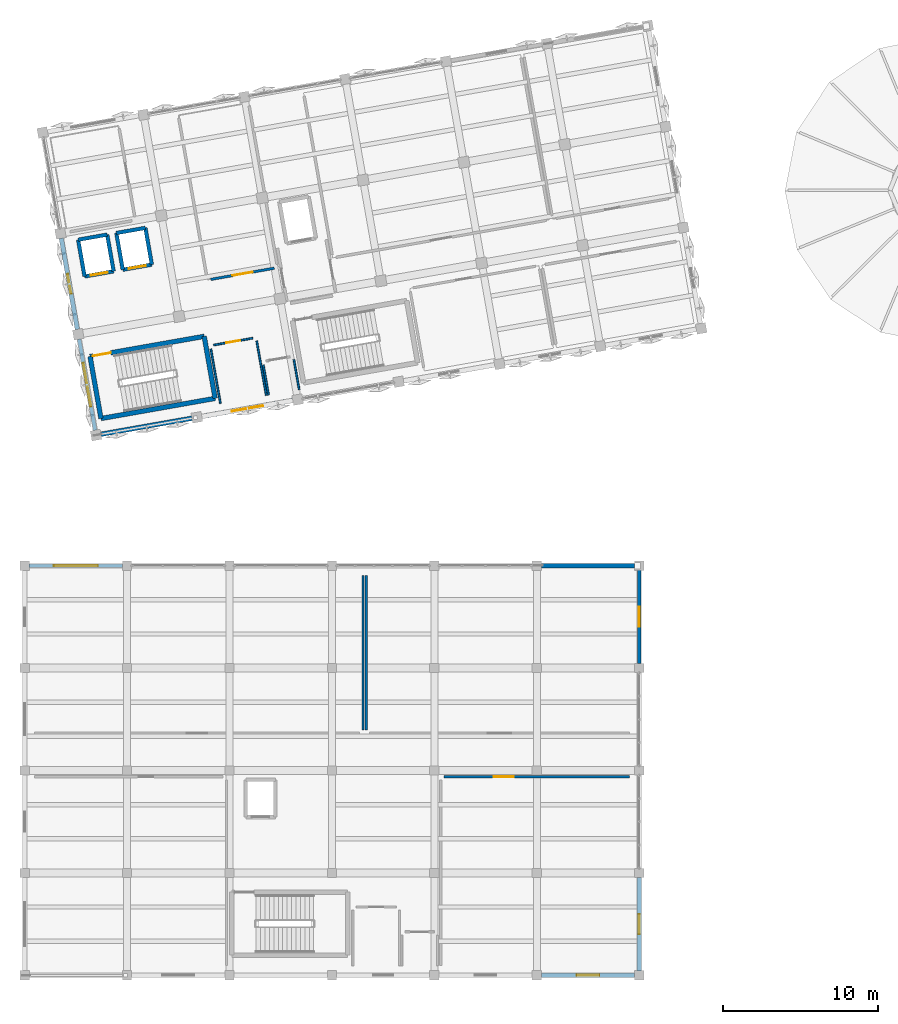
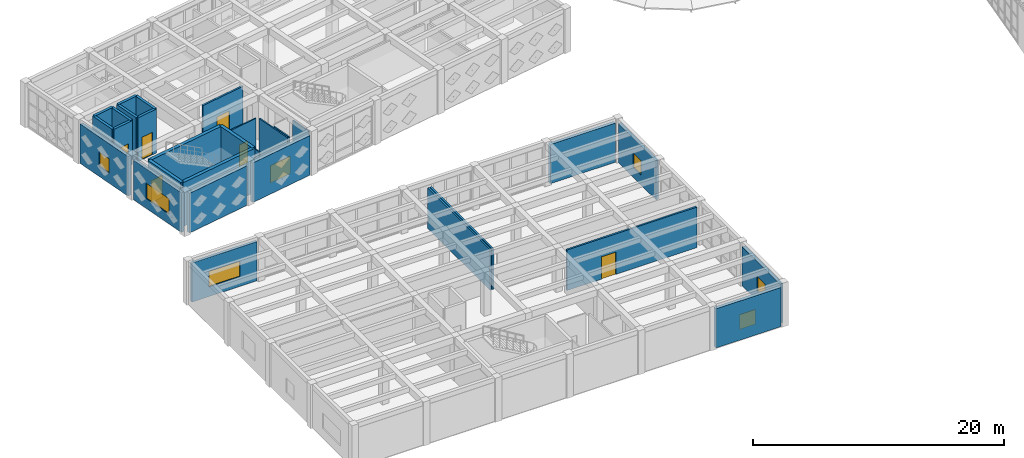
# One storey, part 55 of 67: 30 walls, 7 windows, 6 doors, 13 openings.
"""IFC4 building model written with IfcOpenShell, lengths in metres."""

from ifc_helpers import new_model, si_unit, direction, frame, frame_2d, origin, place, context, subcontext, project, spatial, rectangle, extrude, material, layer, layer_set, type_object, element, fill, save


model = new_model("IFC4")

# Units and contexts
model_context = context("Model", 3, precision=1e-05, world=origin(), true_north=direction((0.0, 1.0)))
body_context = subcontext(model_context, "Body", "Model", "MODEL_VIEW")
ifc_project = project(units=[si_unit("LENGTHUNIT", "METRE"), si_unit("AREAUNIT", "SQUARE_METRE"), si_unit("VOLUMEUNIT", "CUBIC_METRE"), si_unit("PLANEANGLEUNIT", "RADIAN"), si_unit("MASSUNIT", "GRAM", prefix="KILO")], contexts=[model_context])

# Site, building, storey
site_placement = place(None, origin())
site = spatial("IfcSite", under=ifc_project, at=site_placement, CompositionType="ELEMENT")
building_placement = place(site_placement, origin())
building = spatial("IfcBuilding", under=site, at=building_placement, Name="Kharisveld Research Institute", CompositionType="ELEMENT")
storey_placement = place(building_placement, frame((0.0, 0.0, 9.60009765625)))
storey = spatial("IfcBuildingStorey", under=building, at=storey_placement, Name="L02", CompositionType="ELEMENT", Elevation=9.60009765625)

# Walls
ifc_material_1 = material(Name="Flush Pharmaceutical Panel", Category="mineral")
ifc_layer_1 = layer(ifc_material_1, 0.155029296875)
ifc_layer_set_1 = layer_set([ifc_layer_1], Name="WL_CLN_155")
wall_type_1 = type_object("IfcWallType", Name="WL_CLN_155", PredefinedType="PARTITIONING", material=ifc_layer_set_1)
wall_1_placement = place(storey_placement, frame((22.39990234375, 16.02001953125, 0.0), z_axis=(0.0, 0.0, 1.0), x_axis=(0.0, 1.0, 0.0)))
element("IfcWall", 1, at=wall_1_placement, inside=storey, type_object=wall_type_1, Name="WL:RM:V3:L02:CR7:E", PredefinedType="PARTITIONING", context=body_context, shape_type="SweptSolid", body=[
    extrude(rectangle(XDim=9.9599609375, YDim=0.155029296875, at=frame_2d((4.97998046875, 0.0))), origin(), (0.0, 0.0, 1.0), 3.949951171875),
])
ifc_material_2 = material(Name="Concrete C40/50", Category="concrete")
ifc_layer_2 = layer(ifc_material_2, 0.239990234375)
ifc_layer_set_2 = layer_set([ifc_layer_2], Name="WL_CORE_240")
wall_type_2 = type_object("IfcWallType", Name="WL_CORE_240", PredefinedType="SHEAR", material=ifc_layer_set_2)
wall_2_placement = place(storey_placement, frame((4.462890625, 45.2373046875, 0.0), z_axis=(0.0, 0.0, 1.0), x_axis=(-0.173646056486, 0.984808127031, 0.0)))
element("IfcWall", 2, at=wall_2_placement, inside=storey, type_object=wall_type_2, Name="WL:LFT:PL-01:L02:W", PredefinedType="SHEAR", context=body_context, shape_type="SweptSolid", body=[
    extrude(rectangle(XDim=2.39990234375, YDim=0.239990234375, at=frame_2d((1.199951171875, 0.0))), origin(), (0.0, 0.0, 1.0), 4.27978515625),
])
wall_3_placement = place(storey_placement, frame((4.046142578125, 47.600830078125, 0.0), z_axis=(0.0, 0.0, 1.0), x_axis=(0.984793905749, 0.173726691098, 0.0)))
element("IfcWall", 3, at=wall_3_placement, inside=storey, type_object=wall_type_2, Name="WL:LFT:PL-01:L02:N", PredefinedType="SHEAR", context=body_context, shape_type="SweptSolid", body=[
    extrude(rectangle(XDim=1.89990234375, YDim=0.239990234375, at=frame_2d((0.949951171875, 0.0))), origin(), (0.0, 0.0, 1.0), 4.27978515625),
])
wall_4_placement = place(storey_placement, frame((5.917236328125, 47.930908203125, 0.0), z_axis=(0.0, 0.0, 1.0), x_axis=(0.173646056486, -0.984808127031, 0.0)))
element("IfcWall", 4, at=wall_4_placement, inside=storey, type_object=wall_type_2, Name="WL:LFT:PL-01:L02:E", PredefinedType="SHEAR", context=body_context, shape_type="SweptSolid", body=[
    extrude(rectangle(XDim=2.39990234375, YDim=0.239990234375, at=frame_2d((1.199951171875, 0.0))), origin(), (0.0, 0.0, 1.0), 4.27978515625),
])

# Wall, opening, door
wall_5_placement = place(storey_placement, frame((6.333984375, 45.5673828125, 0.0), z_axis=(0.0, 0.0, 1.0), x_axis=(-0.984793905749, -0.173726691098, 0.0)))
wall_5 = element("IfcWall", 5, at=wall_5_placement, inside=storey, type_object=wall_type_2, Name="WL:LFT:PL-01:L02:S", PredefinedType="SHEAR", context=body_context, shape_type="SweptSolid", body=[
    extrude(rectangle(XDim=1.89990234375, YDim=0.239990234375, at=frame_2d((0.949951171875, 0.0))), origin(), (0.0, 0.0, 1.0), 4.27978515625),
])
opening_1_placement = place(wall_5_placement, frame((0.39990234375, 0.0, 0.0)))
opening_1 = element("IfcOpeningElement", 6, at=opening_1_placement, cuts=wall_5, Name="Opening LD-01", PredefinedType="OPENING", context=body_context, shape_type="SweptSolid", body=[
    extrude(rectangle(XDim=1.10009765625, YDim=2.199951171875, at=frame_2d((0.550048828125, 1.10009765625))), frame((0.0, 0.1201171875, 0.0), z_axis=(0.0, -1.0, 0.0), x_axis=(1.0, 0.0, 0.0)), (0.0, 0.0, 1.0), 0.239990234375),
])
ifc_material_3 = material(Name="Flush Painted Hardwood and Anodised Aluminium", Category="wood")
door_type_1 = type_object("IfcDoorType", Name="DR_LFT_110", OperationType="SLIDING_TO_LEFT", PredefinedType="DOOR", material=ifc_material_3)
door_1_placement = place(opening_1_placement, origin())
door_1 = element("IfcDoor", 7, at=door_1_placement, inside=storey, type_object=door_type_1, Name="PL-01 Lift Landing Door L02", OperationType="SLIDING_TO_LEFT", OverallHeight=2.199951171875, OverallWidth=1.10009765625, PredefinedType="DOOR", context=body_context, shape_type="SweptSolid", body=[
    extrude(rectangle(XDim=1.10009765625, YDim=2.199951171875, at=frame_2d((0.550048828125, 1.10009765625))), frame((0.0, 0.02490234375, 0.0), z_axis=(0.0, -1.0, 0.0), x_axis=(1.0, 0.0, 0.0)), (0.0, 0.0, 1.0), 0.050048828125),
])
fill(opening_1, door_1)

# Walls
wall_6_placement = place(storey_placement, frame((6.9248046875, 45.67138671875, 0.0), z_axis=(0.0, 0.0, 1.0), x_axis=(-0.173646056486, 0.984808127031, 0.0)))
element("IfcWall", 8, at=wall_6_placement, inside=storey, type_object=wall_type_2, Name="WL:LFT:PL-02:L02:W", PredefinedType="SHEAR", context=body_context, shape_type="SweptSolid", body=[
    extrude(rectangle(XDim=2.39990234375, YDim=0.239990234375, at=frame_2d((1.199951171875, 0.0))), origin(), (0.0, 0.0, 1.0), 4.27978515625),
])
wall_7_placement = place(storey_placement, frame((6.508056640625, 48.034912109375, 0.0), z_axis=(0.0, 0.0, 1.0), x_axis=(0.984793905749, 0.173726691098, 0.0)))
element("IfcWall", 9, at=wall_7_placement, inside=storey, type_object=wall_type_2, Name="WL:LFT:PL-02:L02:N", PredefinedType="SHEAR", context=body_context, shape_type="SweptSolid", body=[
    extrude(rectangle(XDim=1.89990234375, YDim=0.239990234375, at=frame_2d((0.949951171875, 0.0))), origin(), (0.0, 0.0, 1.0), 4.27978515625),
])
wall_8_placement = place(storey_placement, frame((8.379150390625, 48.364990234375, 0.0), z_axis=(0.0, 0.0, 1.0), x_axis=(0.173646056486, -0.984808127031, 0.0)))
element("IfcWall", 10, at=wall_8_placement, inside=storey, type_object=wall_type_2, Name="WL:LFT:PL-02:L02:E", PredefinedType="SHEAR", context=body_context, shape_type="SweptSolid", body=[
    extrude(rectangle(XDim=2.39990234375, YDim=0.239990234375, at=frame_2d((1.199951171875, 0.0))), origin(), (0.0, 0.0, 1.0), 4.27978515625),
])

# Wall, opening, door
wall_9_placement = place(storey_placement, frame((8.7958984375, 46.00146484375, 0.0), z_axis=(0.0, 0.0, 1.0), x_axis=(-0.984793905749, -0.173726691098, 0.0)))
wall_9 = element("IfcWall", 11, at=wall_9_placement, inside=storey, type_object=wall_type_2, Name="WL:LFT:PL-02:L02:S", PredefinedType="SHEAR", context=body_context, shape_type="SweptSolid", body=[
    extrude(rectangle(XDim=1.89990234375, YDim=0.239990234375, at=frame_2d((0.949951171875, 0.0))), origin(), (0.0, 0.0, 1.0), 4.27978515625),
])
opening_2_placement = place(wall_9_placement, frame((0.39990234375, 0.0, 0.0)))
opening_2 = element("IfcOpeningElement", 12, at=opening_2_placement, cuts=wall_9, Name="Opening LD-01", PredefinedType="OPENING", context=body_context, shape_type="SweptSolid", body=[
    extrude(rectangle(XDim=1.10009765625, YDim=2.199951171875, at=frame_2d((0.550048828125, 1.10009765625))), frame((0.0, 0.1201171875, 0.0), z_axis=(0.0, -1.0, 0.0), x_axis=(1.0, 0.0, 0.0)), (0.0, 0.0, 1.0), 0.239990234375),
])
door_2_placement = place(opening_2_placement, origin())
door_2 = element("IfcDoor", 13, at=door_2_placement, inside=storey, type_object=door_type_1, Name="PL-02 Lift Landing Door L02", OperationType="SLIDING_TO_LEFT", OverallHeight=2.199951171875, OverallWidth=1.10009765625, PredefinedType="DOOR", context=body_context, shape_type="SweptSolid", body=[
    extrude(rectangle(XDim=1.10009765625, YDim=2.199951171875, at=frame_2d((0.550048828125, 1.10009765625))), frame((0.0, 0.02490234375, 0.0), z_axis=(0.0, -1.0, 0.0), x_axis=(1.0, 0.0, 0.0)), (0.0, 0.0, 1.0), 0.050048828125),
])
fill(opening_2, door_2)

# Wall
ifc_material_4 = material(Name="Concrete C40/50", Category="concrete")
ifc_layer_3 = layer(ifc_material_4, 0.300048828125)
ifc_layer_set_3 = layer_set([ifc_layer_3], Name="WL_CORE_300")
wall_type_3 = type_object("IfcWallType", Name="WL_CORE_300", PredefinedType="SHEAR", material=ifc_layer_set_3)
wall_10_placement = place(storey_placement, frame((5.518798828125, 36.08154296875, 0.0), z_axis=(0.0, 0.0, 1.0), x_axis=(-0.173665267602, 0.984804739443, 0.0)))
element("IfcWall", 14, at=wall_10_placement, inside=storey, type_object=wall_type_3, Name="WL:STR:ST1:L02:W", PredefinedType="SHEAR", context=body_context, shape_type="SweptSolid", body=[
    extrude(rectangle(XDim=4.06005859375, YDim=0.300048828125, at=frame_2d((2.030029296875, 0.0))), origin(), (0.0, 0.0, 1.0), 4.27978515625),
])

# Wall, opening, door
wall_11_placement = place(storey_placement, frame((4.813720703125, 40.079833984375, 0.0), z_axis=(0.0, 0.0, 1.0), x_axis=(0.984802636214, 0.173677193974, 0.0)))
wall_11 = element("IfcWall", 15, at=wall_11_placement, inside=storey, type_object=wall_type_3, Name="WL:STR:ST1:L02:N", PredefinedType="SHEAR", context=body_context, shape_type="SweptSolid", body=[
    extrude(rectangle(XDim=7.469970703125, YDim=0.300048828125, at=frame_2d((3.73486328125, 0.0))), origin(), (0.0, 0.0, 1.0), 4.27978515625),
])
opening_3_placement = place(wall_11_placement, frame((0.179931640625, 0.0, 0.0)))
opening_3 = element("IfcOpeningElement", 16, at=opening_3_placement, cuts=wall_11, Name="Opening DS-004", PredefinedType="OPENING", context=body_context, shape_type="SweptSolid", body=[
    extrude(rectangle(XDim=1.179931640625, YDim=2.14990234375, at=frame_2d((0.58984375, 1.074951171875))), frame((0.0, 0.14990234375, 0.0), z_axis=(0.0, -1.0, 0.0), x_axis=(1.0, 0.0, 0.0)), (0.0, 0.0, 1.0), 0.300048828125),
])
ifc_material_5 = material(Name="Flush Painted Hardwood and Anodised Aluminium", Category="wood")
door_type_2 = type_object("IfcDoorType", Name="DR_FD60_118", OperationType="NOTDEFINED", PredefinedType="DOOR", material=ifc_material_5)
door_3_placement = place(opening_3_placement, origin())
door_3 = element("IfcDoor", 17, at=door_3_placement, inside=storey, type_object=door_type_2, Name="DR:STR:ST1:L02", OperationType="SINGLE_SWING_LEFT", OverallHeight=2.14990234375, OverallWidth=1.179931640625, PredefinedType="DOOR", context=body_context, shape_type="SweptSolid", body=[
    extrude(rectangle(XDim=1.179931640625, YDim=2.14990234375, at=frame_2d((0.58984375, 1.074951171875))), frame((0.0, 0.02490234375, 0.0), z_axis=(0.0, -1.0, 0.0), x_axis=(1.0, 0.0, 0.0)), (0.0, 0.0, 1.0), 0.050048828125),
])
fill(opening_3, door_3)

# Walls
wall_12_placement = place(storey_placement, frame((12.170166015625, 41.377197265625, 0.0), z_axis=(0.0, 0.0, 1.0), x_axis=(0.173654983803, -0.984806552883, 0.0)))
element("IfcWall", 18, at=wall_12_placement, inside=storey, type_object=wall_type_3, Name="WL:STR:ST1:L02:E", PredefinedType="SHEAR", context=body_context, shape_type="SweptSolid", body=[
    extrude(rectangle(XDim=4.060302734375, YDim=0.300048828125, at=frame_2d((2.0302734375, 0.0))), origin(), (0.0, 0.0, 1.0), 4.27978515625),
])
wall_13_placement = place(storey_placement, frame((12.875244140625, 37.378662109375, 0.0), z_axis=(0.0, 0.0, 1.0), x_axis=(-0.984808225754, -0.173645496596, 0.0)))
element("IfcWall", 19, at=wall_13_placement, inside=storey, type_object=wall_type_3, Name="WL:STR:ST1:L02:S", PredefinedType="SHEAR", context=body_context, shape_type="SweptSolid", body=[
    extrude(rectangle(XDim=7.469970703125, YDim=0.300048828125, at=frame_2d((3.73486328125, 0.0))), origin(), (0.0, 0.0, 1.0), 4.27978515625),
])

# Wall, opening, window
ifc_material_6 = material(Name="Lightweight Acoustic Spandrel", Category="mineral")
ifc_layer_4 = layer(ifc_material_6, 0.2451171875)
ifc_layer_set_4 = layer_set([ifc_layer_4], Name="WL_EXT_245")
wall_type_4 = type_object("IfcWallType", Name="WL_EXT_245", PredefinedType="STANDARD", material=ifc_layer_set_4)
wall_14_placement = place(storey_placement, frame((5.14453125, 35.3251953125, 0.0), z_axis=(0.0, 0.0, 1.0), x_axis=(-0.17368484894, 0.984801286173, 0.0)))
wall_14 = element("IfcWall", 20, at=wall_14_placement, inside=storey, type_object=wall_type_4, Name="WL:V1:L02:W0", PredefinedType="STANDARD", context=body_context, shape_type="SweptSolid", body=[
    extrude(rectangle(XDim=5.9599609375, YDim=0.2451171875, at=frame_2d((2.97998046875, 0.0))), origin(), (0.0, 0.0, 1.0), 3.85498046875),
])
opening_4_placement = place(wall_14_placement, frame((1.554931640625, 0.0, 0.949951171875)))
opening_4 = element("IfcOpeningElement", 21, at=opening_4_placement, cuts=wall_14, Name="Opening WN-18", PredefinedType="OPENING", context=body_context, shape_type="SweptSolid", body=[
    extrude(rectangle(XDim=2.85009765625, YDim=1.5, at=frame_2d((1.425048828125, 0.75))), frame((0.0, 0.12255859375, 0.0), z_axis=(0.0, -1.0, 0.0), x_axis=(1.0, 0.0, 0.0)), (0.0, 0.0, 1.0), 0.2451171875),
])
ifc_material_7 = material(Name="Low-E Double Glazing", Category="glass")
window_type_1 = type_object("IfcWindowType", Name="WN_18", PartitioningType="TRIPLE_PANEL_VERTICAL", PredefinedType="WINDOW", material=ifc_material_7)
window_1_placement = place(opening_4_placement, origin())
window_1 = element("IfcWindow", 22, at=window_1_placement, inside=storey, type_object=window_type_1, Name="WN:V1:L02:W0", OverallHeight=1.5, OverallWidth=2.85009765625, PartitioningType="SINGLE_PANEL", PredefinedType="WINDOW", context=body_context, shape_type="SweptSolid", body=[
    extrude(rectangle(XDim=2.85009765625, YDim=1.5, at=frame_2d((1.425048828125, 0.75))), frame((0.0, 0.030029296875, 0.0), z_axis=(0.0, -1.0, 0.0), x_axis=(1.0, 0.0, 0.0)), (0.0, 0.0, 1.0), 0.06005859375),
])
fill(opening_4, window_1)

wall_15_placement = place(storey_placement, frame((0.89501953125, 26.60009765625, 0.0), z_axis=(0.0, 0.0, 1.0), x_axis=(1.0, 0.0, 0.0)))
wall_15 = element("IfcWall", 23, at=wall_15_placement, inside=storey, type_object=wall_type_4, Name="WL:V3:L02:N0", PredefinedType="STANDARD", context=body_context, shape_type="SweptSolid", body=[
    extrude(rectangle(XDim=6.010009765625, YDim=0.2451171875, at=frame_2d((3.0048828125, 0.0))), origin(), (0.0, 0.0, 1.0), 3.81494140625),
])
opening_5_placement = place(wall_15_placement, frame((1.580078125, 0.0, 0.949951171875)))
opening_5 = element("IfcOpeningElement", 24, at=opening_5_placement, cuts=wall_15, Name="Opening WN-18", PredefinedType="OPENING", context=body_context, shape_type="SweptSolid", body=[
    extrude(rectangle(XDim=2.85009765625, YDim=1.5, at=frame_2d((1.425048828125, 0.75))), frame((0.0, 0.12255859375, 0.0), z_axis=(0.0, -1.0, 0.0), x_axis=(1.0, 0.0, 0.0)), (0.0, 0.0, 1.0), 0.2451171875),
])
window_2_placement = place(opening_5_placement, origin())
window_2 = element("IfcWindow", 25, at=window_2_placement, inside=storey, type_object=window_type_1, Name="WN:V3:L02:N0", OverallHeight=1.5, OverallWidth=2.85009765625, PartitioningType="SINGLE_PANEL", PredefinedType="WINDOW", context=body_context, shape_type="SweptSolid", body=[
    extrude(rectangle(XDim=2.85009765625, YDim=1.5, at=frame_2d((1.425048828125, 0.75))), frame((0.0, 0.030029296875, 0.0), z_axis=(0.0, -1.0, 0.0), x_axis=(1.0, 0.0, 0.0)), (0.0, 0.0, 1.0), 0.06005859375),
])
fill(opening_5, window_2)

wall_16_placement = place(storey_placement, frame((40.199951171875, 26.304931640625, 0.0), z_axis=(0.0, 0.0, 1.0), x_axis=(0.0, -1.0, 0.0)))
wall_16 = element("IfcWall", 26, at=wall_16_placement, inside=storey, type_object=wall_type_4, Name="WL:V3:L02:E4", PredefinedType="STANDARD", context=body_context, shape_type="SweptSolid", body=[
    extrude(rectangle(XDim=6.010009765625, YDim=0.2451171875, at=frame_2d((3.0048828125, 0.0))), origin(), (0.0, 0.0, 1.0), 3.81494140625),
])
opening_6_placement = place(wall_16_placement, frame((2.364990234375, 0.0, 0.949951171875)))
opening_6 = element("IfcOpeningElement", 27, at=opening_6_placement, cuts=wall_16, Name="Opening WN-22", PredefinedType="OPENING", context=body_context, shape_type="SweptSolid", body=[
    extrude(rectangle(XDim=1.280029296875, YDim=1.39990234375, at=frame_2d((0.64013671875, 0.699951171875))), frame((0.0, 0.12255859375, 0.0), z_axis=(0.0, -1.0, 0.0), x_axis=(1.0, 0.0, 0.0)), (0.0, 0.0, 1.0), 0.2451171875),
])
ifc_material_8 = material(Name="Low-E Double Glazing", Category="glass")
window_type_2 = type_object("IfcWindowType", Name="WN_22", PartitioningType="DOUBLE_PANEL_VERTICAL", PredefinedType="WINDOW", material=ifc_material_8)
window_3_placement = place(opening_6_placement, origin())
window_3 = element("IfcWindow", 28, at=window_3_placement, inside=storey, type_object=window_type_2, Name="WN:V3:L02:E4", OverallHeight=1.39990234375, OverallWidth=1.280029296875, PartitioningType="SINGLE_PANEL", PredefinedType="WINDOW", context=body_context, shape_type="SweptSolid", body=[
    extrude(rectangle(XDim=1.280029296875, YDim=1.39990234375, at=frame_2d((0.64013671875, 0.699951171875))), frame((0.0, 0.030029296875, 0.0), z_axis=(0.0, -1.0, 0.0), x_axis=(1.0, 0.0, 0.0)), (0.0, 0.0, 1.0), 0.06005859375),
])
fill(opening_6, window_3)

ifc_material_9 = material(Name="Precast Concrete C40/50 Thermal Wall", Category="concrete")
ifc_layer_5 = layer(ifc_material_9, 0.2900390625)
ifc_layer_set_5 = layer_set([ifc_layer_5], Name="WL_EXT_290")
wall_type_5 = type_object("IfcWallType", Name="WL_EXT_290", PredefinedType="STANDARD", material=ifc_layer_set_5)
wall_17_placement = place(storey_placement, frame((3.998291015625, 41.824951171875, 0.0), z_axis=(0.0, 0.0, 1.0), x_axis=(-0.173645120828, 0.98480829201, 0.0)))
wall_17 = element("IfcWall", 29, at=wall_17_placement, inside=storey, type_object=wall_type_5, Name="WL:V1:L02:W1", PredefinedType="STANDARD", context=body_context, shape_type="SweptSolid", body=[
    extrude(rectangle(XDim=5.9599609375, YDim=0.2900390625, at=frame_2d((2.97998046875, 0.0))), origin(), (0.0, 0.0, 1.0), 3.85498046875),
])
opening_7_placement = place(wall_17_placement, frame((2.340087890625, 0.0, 0.949951171875)))
opening_7 = element("IfcOpeningElement", 30, at=opening_7_placement, cuts=wall_17, Name="Opening WN-19", PredefinedType="OPENING", context=body_context, shape_type="SweptSolid", body=[
    extrude(rectangle(XDim=1.280029296875, YDim=1.419921875, at=frame_2d((0.64013671875, 0.7099609375))), frame((0.0, 0.14501953125, 0.0), z_axis=(0.0, -1.0, 0.0), x_axis=(1.0, 0.0, 0.0)), (0.0, 0.0, 1.0), 0.2900390625),
])
ifc_material_10 = material(Name="Low-E Double Glazing", Category="glass")
window_type_3 = type_object("IfcWindowType", Name="WN_19", PartitioningType="SINGLE_PANEL", PredefinedType="WINDOW", material=ifc_material_10)
window_4_placement = place(opening_7_placement, origin())
window_4 = element("IfcWindow", 31, at=window_4_placement, inside=storey, type_object=window_type_3, Name="WN:V1:L02:W1", OverallHeight=1.419921875, OverallWidth=1.280029296875, PartitioningType="SINGLE_PANEL", PredefinedType="WINDOW", context=body_context, shape_type="SweptSolid", body=[
    extrude(rectangle(XDim=1.280029296875, YDim=1.419921875, at=frame_2d((0.64013671875, 0.7099609375))), frame((0.0, 0.030029296875, 0.0), z_axis=(0.0, -1.0, 0.0), x_axis=(1.0, 0.0, 0.0)), (0.0, 0.0, 1.0), 0.06005859375),
])
fill(opening_7, window_4)

# Wall
wall_18_placement = place(storey_placement, frame((33.89501953125, 26.60009765625, 0.0), z_axis=(0.0, 0.0, 1.0), x_axis=(1.0, 0.0, 0.0)))
element("IfcWall", 32, at=wall_18_placement, inside=storey, type_object=wall_type_5, Name="WL:V3:L02:N5", PredefinedType="STANDARD", context=body_context, shape_type="SweptSolid", body=[
    extrude(rectangle(XDim=6.010009765625, YDim=0.2900390625, at=frame_2d((3.0048828125, 0.0))), origin(), (0.0, 0.0, 1.0), 3.81494140625),
])

# Wall, opening, window
wall_19_placement = place(storey_placement, frame((40.199951171875, 6.5048828125, 0.0), z_axis=(0.0, 0.0, 1.0), x_axis=(0.0, -1.0, 0.0)))
wall_19 = element("IfcWall", 33, at=wall_19_placement, inside=storey, type_object=wall_type_5, Name="WL:V3:L02:E1", PredefinedType="STANDARD", context=body_context, shape_type="SweptSolid", body=[
    extrude(rectangle(XDim=6.009765625, YDim=0.2900390625, at=frame_2d((3.0048828125, 0.0))), origin(), (0.0, 0.0, 1.0), 3.81494140625),
])
opening_8_placement = place(wall_19_placement, frame((2.364990234375, 0.0, 0.949951171875)))
opening_8 = element("IfcOpeningElement", 34, at=opening_8_placement, cuts=wall_19, Name="Opening WN-19", PredefinedType="OPENING", context=body_context, shape_type="SweptSolid", body=[
    extrude(rectangle(XDim=1.280029296875, YDim=1.419921875, at=frame_2d((0.64013671875, 0.7099609375))), frame((0.0, 0.14501953125, 0.0), z_axis=(0.0, -1.0, 0.0), x_axis=(1.0, 0.0, 0.0)), (0.0, 0.0, 1.0), 0.2900390625),
])
window_5_placement = place(opening_8_placement, origin())
window_5 = element("IfcWindow", 35, at=window_5_placement, inside=storey, type_object=window_type_3, Name="WN:V3:L02:E1", OverallHeight=1.419921875, OverallWidth=1.280029296875, PartitioningType="SINGLE_PANEL", PredefinedType="WINDOW", context=body_context, shape_type="SweptSolid", body=[
    extrude(rectangle(XDim=1.280029296875, YDim=1.419921875, at=frame_2d((0.64013671875, 0.7099609375))), frame((0.0, 0.030029296875, 0.0), z_axis=(0.0, -1.0, 0.0), x_axis=(1.0, 0.0, 0.0)), (0.0, 0.0, 1.0), 0.06005859375),
])
fill(opening_8, window_5)

ifc_material_11 = material(Name="Precast Concrete C40/50 Ochre Panel", Category="concrete")
ifc_layer_6 = layer(ifc_material_11, 0.304931640625)
ifc_layer_set_6 = layer_set([ifc_layer_6], Name="WL_EXT_305")
wall_type_6 = type_object("IfcWallType", Name="WL_EXT_305", PredefinedType="STANDARD", material=ifc_layer_set_6)
wall_20_placement = place(storey_placement, frame((17.88427734375, 37.24658203125, 0.0), z_axis=(0.0, 0.0, 1.0), x_axis=(-0.98480829201, -0.173645120828, 0.0)))
wall_20 = element("IfcWall", 36, at=wall_20_placement, inside=storey, type_object=wall_type_6, Name="WL:V1:L02:S2", PredefinedType="STANDARD", context=body_context, shape_type="SweptSolid", body=[
    extrude(rectangle(XDim=5.9599609375, YDim=0.304931640625, at=frame_2d((2.97998046875, 0.0))), origin(), (0.0, 0.0, 1.0), 3.85498046875),
])
opening_9_placement = place(wall_20_placement, frame((1.955078125, 0.0, 0.949951171875)))
opening_9 = element("IfcOpeningElement", 37, at=opening_9_placement, cuts=wall_20, Name="Opening WN-20", PredefinedType="OPENING", context=body_context, shape_type="SweptSolid", body=[
    extrude(rectangle(XDim=2.050048828125, YDim=1.699951171875, at=frame_2d((1.02490234375, 0.85009765625))), frame((0.0, 0.15234375, 0.0), z_axis=(0.0, -1.0, 0.0), x_axis=(1.0, 0.0, 0.0)), (0.0, 0.0, 1.0), 0.304931640625),
])
ifc_material_12 = material(Name="Low-E Double Glazing", Category="glass")
window_type_4 = type_object("IfcWindowType", Name="WN_20", PartitioningType="DOUBLE_PANEL_VERTICAL", PredefinedType="WINDOW", material=ifc_material_12)
window_6_placement = place(opening_9_placement, origin())
window_6 = element("IfcWindow", 38, at=window_6_placement, inside=storey, type_object=window_type_4, Name="WN:V1:L02:S2", OverallHeight=1.699951171875, OverallWidth=2.050048828125, PartitioningType="SINGLE_PANEL", PredefinedType="WINDOW", context=body_context, shape_type="SweptSolid", body=[
    extrude(rectangle(XDim=2.050048828125, YDim=1.699951171875, at=frame_2d((1.02490234375, 0.85009765625))), frame((0.0, 0.030029296875, 0.0), z_axis=(0.0, -1.0, 0.0), x_axis=(1.0, 0.0, 0.0)), (0.0, 0.0, 1.0), 0.06005859375),
])
fill(opening_9, window_6)

# Wall
wall_21_placement = place(storey_placement, frame((11.384521484375, 36.1005859375, 0.0), z_axis=(0.0, 0.0, 1.0), x_axis=(-0.98480829201, -0.173645120828, 0.0)))
element("IfcWall", 39, at=wall_21_placement, inside=storey, type_object=wall_type_6, Name="WL:V1:L02:S1", PredefinedType="STANDARD", context=body_context, shape_type="SweptSolid", body=[
    extrude(rectangle(XDim=5.9599609375, YDim=0.304931640625, at=frame_2d((2.97998046875, 0.0))), origin(), (0.0, 0.0, 1.0), 3.85498046875),
])

# Wall, opening, window
wall_22_placement = place(storey_placement, frame((39.905029296875, 0.199951171875, 0.0), z_axis=(0.0, 0.0, 1.0), x_axis=(-1.0, 0.0, 0.0)))
wall_22 = element("IfcWall", 40, at=wall_22_placement, inside=storey, type_object=wall_type_6, Name="WL:V3:L02:S6", PredefinedType="STANDARD", context=body_context, shape_type="SweptSolid", body=[
    extrude(rectangle(XDim=6.010009765625, YDim=0.304931640625, at=frame_2d((3.0048828125, 0.0))), origin(), (0.0, 0.0, 1.0), 3.81494140625),
])
opening_10_placement = place(wall_22_placement, frame((2.27490234375, 0.0, 0.949951171875)))
opening_10 = element("IfcOpeningElement", 41, at=opening_10_placement, cuts=wall_22, Name="Opening WN-24", PredefinedType="OPENING", context=body_context, shape_type="SweptSolid", body=[
    extrude(rectangle(XDim=1.4599609375, YDim=1.43994140625, at=frame_2d((0.72998046875, 0.719970703125))), frame((0.0, 0.15234375, 0.0), z_axis=(0.0, -1.0, 0.0), x_axis=(1.0, 0.0, 0.0)), (0.0, 0.0, 1.0), 0.304931640625),
])
ifc_material_13 = material(Name="Low-E Double Glazing", Category="glass")
window_type_5 = type_object("IfcWindowType", Name="WN_24", PartitioningType="DOUBLE_PANEL_VERTICAL", PredefinedType="WINDOW", material=ifc_material_13)
window_7_placement = place(opening_10_placement, origin())
window_7 = element("IfcWindow", 42, at=window_7_placement, inside=storey, type_object=window_type_5, Name="WN:V3:L02:S6", OverallHeight=1.43994140625, OverallWidth=1.4599609375, PartitioningType="SINGLE_PANEL", PredefinedType="WINDOW", context=body_context, shape_type="SweptSolid", body=[
    extrude(rectangle(XDim=1.4599609375, YDim=1.43994140625, at=frame_2d((0.72998046875, 0.719970703125))), frame((0.0, 0.030029296875, 0.0), z_axis=(0.0, -1.0, 0.0), x_axis=(1.0, 0.0, 0.0)), (0.0, 0.0, 1.0), 0.06005859375),
])
fill(opening_10, window_7)

# Wall, opening, door
ifc_material_14 = material(Name="Acoustic Drywall Partition", Category="mineral")
ifc_layer_7 = layer(ifc_material_14, 0.1650390625)
ifc_layer_set_7 = layer_set([ifc_layer_7], Name="WL_LAB_165")
wall_type_7 = type_object("IfcWallType", Name="WL_LAB_165", PredefinedType="PARTITIONING", material=ifc_layer_set_7)
wall_23_placement = place(storey_placement, frame((12.589599609375, 45.045654296875, 0.0), z_axis=(0.0, 0.0, 1.0), x_axis=(0.984805411783, 0.173661454915, 0.0)))
wall_23 = element("IfcWall", 43, at=wall_23_placement, inside=storey, type_object=wall_type_7, Name="WL:RM:V1:L02:N1:S", PredefinedType="PARTITIONING", context=body_context, shape_type="SweptSolid", body=[
    extrude(rectangle(XDim=4.159912109375, YDim=0.1650390625, at=frame_2d((2.080078125, 0.0))), origin(), (0.0, 0.0, 1.0), 3.85498046875),
])
opening_11_placement = place(wall_23_placement, frame((1.429931640625, 0.0, 0.0)))
opening_11 = element("IfcOpeningElement", 44, at=opening_11_placement, cuts=wall_23, Name="Opening DI-086", PredefinedType="OPENING", context=body_context, shape_type="SweptSolid", body=[
    extrude(rectangle(XDim=1.300048828125, YDim=2.10009765625, at=frame_2d((0.64990234375, 1.050048828125))), frame((0.0, 0.08251953125, 0.0), z_axis=(0.0, -1.0, 0.0), x_axis=(1.0, 0.0, 0.0)), (0.0, 0.0, 1.0), 0.1650390625),
])
ifc_material_15 = material(Name="Flush Painted Hardwood and Anodised Aluminium", Category="wood")
door_type_3 = type_object("IfcDoorType", Name="DR_VAR_14", OperationType="NOTDEFINED", PredefinedType="DOOR", material=ifc_material_15)
door_4_placement = place(opening_11_placement, origin())
door_4 = element("IfcDoor", 45, at=door_4_placement, inside=storey, type_object=door_type_3, Name="DR:RM:V1:L02:N1:S", OperationType="SINGLE_SWING_RIGHT", OverallHeight=2.10009765625, OverallWidth=1.300048828125, PredefinedType="DOOR", context=body_context, shape_type="SweptSolid", body=[
    extrude(rectangle(XDim=1.300048828125, YDim=2.10009765625, at=frame_2d((0.64990234375, 1.050048828125))), frame((0.0, 0.02490234375, 0.0), z_axis=(0.0, -1.0, 0.0), x_axis=(1.0, 0.0, 0.0)), (0.0, 0.0, 1.0), 0.050048828125),
])
fill(opening_11, door_4)

# Wall
wall_24_placement = place(storey_placement, frame((22.60009765625, 25.97998046875, 0.0), z_axis=(0.0, 0.0, 1.0), x_axis=(0.0, -1.0, 0.0)))
element("IfcWall", 46, at=wall_24_placement, inside=storey, type_object=wall_type_7, Name="WL:RM:V3:L02:MTR:W", PredefinedType="PARTITIONING", context=body_context, shape_type="SweptSolid", body=[
    extrude(rectangle(XDim=9.9599609375, YDim=0.1650390625, at=frame_2d((4.97998046875, 0.0))), origin(), (0.0, 0.0, 1.0), 3.949951171875),
])

# Wall, opening, door
wall_25_placement = place(storey_placement, frame((39.580078125, 13.0, 0.0), z_axis=(0.0, 0.0, 1.0), x_axis=(-1.0, 0.0, 0.0)))
wall_25 = element("IfcWall", 47, at=wall_25_placement, inside=storey, type_object=wall_type_7, Name="WL:RM:V3:L02:SEM:N", PredefinedType="PARTITIONING", context=body_context, shape_type="SweptSolid", body=[
    extrude(rectangle(XDim=11.9599609375, YDim=0.1650390625, at=frame_2d((5.97998046875, 0.0))), origin(), (0.0, 0.0, 1.0), 3.949951171875),
])
opening_12_placement = place(wall_25_placement, frame((7.4619140625, 0.0, 0.0)))
opening_12 = element("IfcOpeningElement", 48, at=opening_12_placement, cuts=wall_25, Name="Opening DI-287", PredefinedType="OPENING", context=body_context, shape_type="SweptSolid", body=[
    extrude(rectangle(XDim=1.300048828125, YDim=2.179931640625, at=frame_2d((0.64990234375, 1.08984375))), frame((0.0, 0.08251953125, 0.0), z_axis=(0.0, -1.0, 0.0), x_axis=(1.0, 0.0, 0.0)), (0.0, 0.0, 1.0), 0.1650390625),
])
ifc_material_16 = material(Name="Flush Painted Hardwood and Anodised Aluminium", Category="wood")
door_type_4 = type_object("IfcDoorType", Name="DR_SEM_130", OperationType="DOUBLE_DOOR_SINGLE_SWING", PredefinedType="DOOR", material=ifc_material_16)
door_5_placement = place(opening_12_placement, origin())
door_5 = element("IfcDoor", 49, at=door_5_placement, inside=storey, type_object=door_type_4, Name="DR:RM:V3:L02:SEM:N", OperationType="DOUBLE_DOOR_SINGLE_SWING", OverallHeight=2.179931640625, OverallWidth=1.300048828125, PredefinedType="DOOR", context=body_context, shape_type="SweptSolid", body=[
    extrude(rectangle(XDim=1.300048828125, YDim=2.179931640625, at=frame_2d((0.64990234375, 1.08984375))), frame((0.0, 0.02490234375, 0.0), z_axis=(0.0, -1.0, 0.0), x_axis=(1.0, 0.0, 0.0)), (0.0, 0.0, 1.0), 0.050048828125),
])
fill(opening_12, door_5)

# Wall
ifc_material_17 = material(Name="Moisture-Resistant Partition", Category="mineral")
ifc_layer_8 = layer(ifc_material_17, 0.114990234375)
ifc_layer_set_8 = layer_set([ifc_layer_8], Name="WL_WC_115")
wall_type_8 = type_object("IfcWallType", Name="WL_WC_115", PredefinedType="PARTITIONING", material=ifc_layer_set_8)
wall_26_placement = place(storey_placement, frame((16.17138671875, 37.57421875, 0.0), z_axis=(0.0, 0.0, 1.0), x_axis=(-0.173644490041, 0.984808403233, 0.0)))
element("IfcWall", 50, at=wall_26_placement, inside=storey, type_object=wall_type_8, Name="WL:RM:V1:L02:WCM:E", PredefinedType="PARTITIONING", context=body_context, shape_type="SweptSolid", body=[
    extrude(rectangle(XDim=3.56005859375, YDim=0.114990234375, at=frame_2d((1.780029296875, 0.0))), origin(), (0.0, 0.0, 1.0), 3.949951171875),
])

# Wall, opening, door
wall_27_placement = place(storey_placement, frame((15.29833984375, 41.258544921875, 0.0), z_axis=(0.0, 0.0, 1.0), x_axis=(-0.984803714572, -0.17367107924, 0.0)))
wall_27 = element("IfcWall", 51, at=wall_27_placement, inside=storey, type_object=wall_type_8, Name="WL:RM:V1:L02:WCM:N", PredefinedType="PARTITIONING", context=body_context, shape_type="SweptSolid", body=[
    extrude(rectangle(XDim=2.559814453125, YDim=0.114990234375, at=frame_2d((1.27978515625, 0.0))), origin(), (0.0, 0.0, 1.0), 3.949951171875),
])
opening_13_placement = place(wall_27_placement, frame((0.830078125, 0.0, 0.0)))
opening_13 = element("IfcOpeningElement", 52, at=opening_13_placement, cuts=wall_27, Name="Opening DI-083", PredefinedType="OPENING", context=body_context, shape_type="SweptSolid", body=[
    extrude(rectangle(XDim=0.89990234375, YDim=2.10009765625, at=frame_2d((0.449951171875, 1.050048828125))), frame((0.0, 0.0576171875, 0.0), z_axis=(0.0, -1.0, 0.0), x_axis=(1.0, 0.0, 0.0)), (0.0, 0.0, 1.0), 0.114990234375),
])
ifc_material_18 = material(Name="Flush Painted Hardwood and Anodised Aluminium", Category="wood")
door_type_5 = type_object("IfcDoorType", Name="DR_WC_090", OperationType="NOTDEFINED", PredefinedType="DOOR", material=ifc_material_18)
door_6_placement = place(opening_13_placement, origin())
door_6 = element("IfcDoor", 53, at=door_6_placement, inside=storey, type_object=door_type_5, Name="DR:RM:V1:L02:WCM:N", OperationType="SINGLE_SWING_LEFT", OverallHeight=2.10009765625, OverallWidth=0.89990234375, PredefinedType="DOOR", context=body_context, shape_type="SweptSolid", body=[
    extrude(rectangle(XDim=0.89990234375, YDim=2.10009765625, at=frame_2d((0.449951171875, 1.050048828125))), frame((0.0, 0.02490234375, 0.0), z_axis=(0.0, -1.0, 0.0), x_axis=(1.0, 0.0, 0.0)), (0.0, 0.0, 1.0), 0.050048828125),
])
fill(opening_13, door_6)

# Walls
wall_28_placement = place(storey_placement, frame((12.598876953125, 40.55908203125, 0.0), z_axis=(0.0, 0.0, 1.0), x_axis=(0.173644490041, -0.984808403233, 0.0)))
element("IfcWall", 54, at=wall_28_placement, inside=storey, type_object=wall_type_8, Name="WL:RM:V1:L02:WCM:W", PredefinedType="PARTITIONING", context=body_context, shape_type="SweptSolid", body=[
    extrude(rectangle(XDim=3.56005859375, YDim=0.114990234375, at=frame_2d((1.780029296875, 0.0))), origin(), (0.0, 0.0, 1.0), 3.949951171875),
])
wall_29_placement = place(storey_placement, frame((18.288818359375, 37.947509765625, 0.0), z_axis=(0.0, 0.0, 1.0), x_axis=(-0.173643211285, 0.984808628706, 0.0)))
element("IfcWall", 55, at=wall_29_placement, inside=storey, type_object=wall_type_8, Name="WL:RM:V1:L02:WCA:E", PredefinedType="PARTITIONING", context=body_context, shape_type="SweptSolid", body=[
    extrude(rectangle(XDim=1.9599609375, YDim=0.114990234375, at=frame_2d((0.97998046875, 0.0))), origin(), (0.0, 0.0, 1.0), 3.65478515625),
])
wall_30_placement = place(storey_placement, frame((15.978759765625, 39.5302734375, 0.0), z_axis=(0.0, 0.0, 1.0), x_axis=(0.173643211285, -0.984808628706, 0.0)))
element("IfcWall", 56, at=wall_30_placement, inside=storey, type_object=wall_type_8, Name="WL:RM:V1:L02:WCA:W", PredefinedType="PARTITIONING", context=body_context, shape_type="SweptSolid", body=[
    extrude(rectangle(XDim=1.9599609375, YDim=0.114990234375, at=frame_2d((0.97998046875, 0.0))), origin(), (0.0, 0.0, 1.0), 3.949951171875),
])

save(model, "model.ifc")
